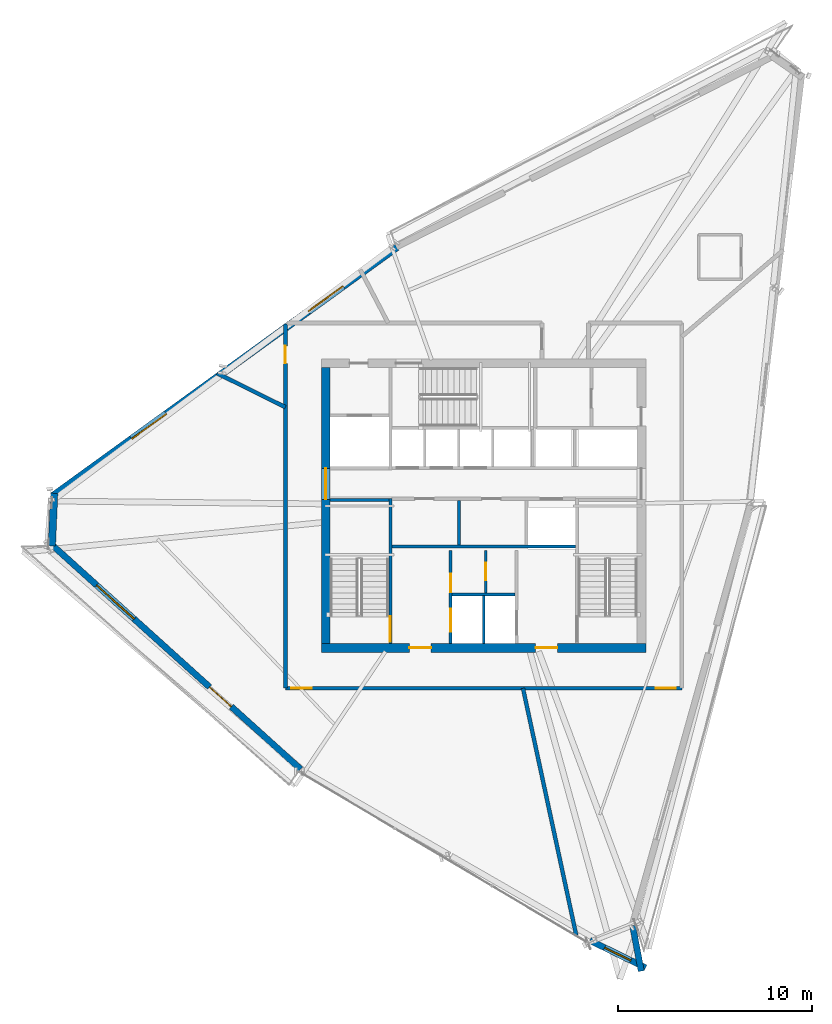
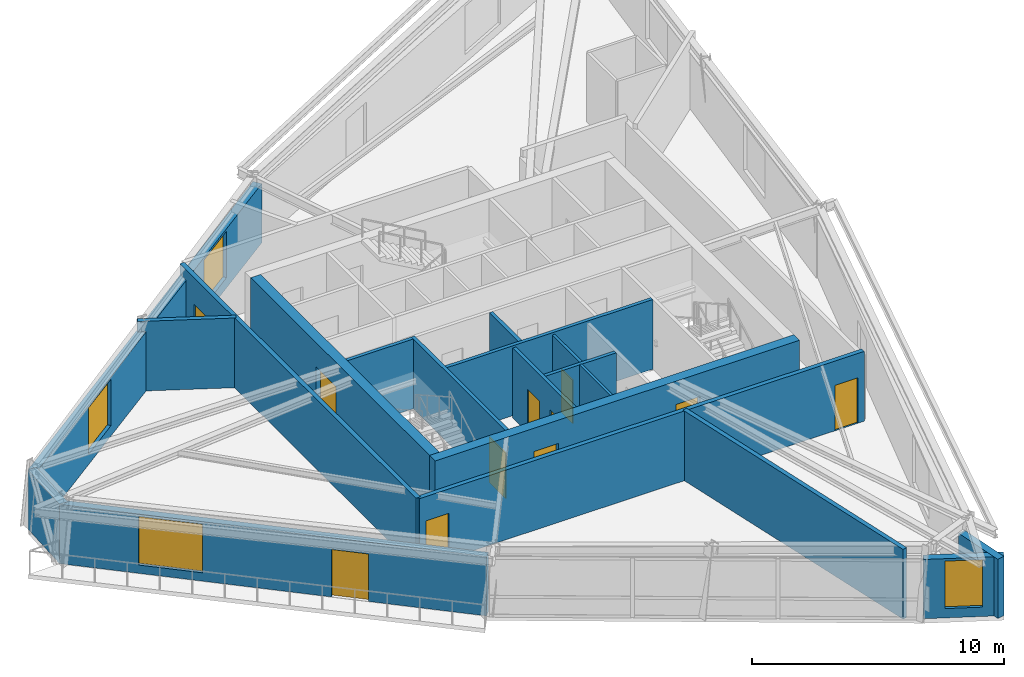
# One storey, part 9 of 14: 19 walls, 11 doors, 4 windows, 15 openings.
"""IFC4 building model written with IfcOpenShell, lengths in metres."""

from ifc_helpers import new_model, si_unit, direction, frame, frame_2d, origin, place, context, subcontext, project, spatial, rectangle, extrude, source, transform, mapped, material, layer, layer_set, type_object, type_shapes, element, fill, save


model = new_model("IFC4")

# Units and contexts
model_context = context("Model", 3, precision=1e-05, world=origin(), true_north=direction((0.0, 1.0)))
body_context = subcontext(model_context, "Body", "Model", "MODEL_VIEW")
ifc_project = project(units=[si_unit("LENGTHUNIT", "METRE"), si_unit("AREAUNIT", "SQUARE_METRE"), si_unit("VOLUMEUNIT", "CUBIC_METRE"), si_unit("PLANEANGLEUNIT", "RADIAN"), si_unit("MASSUNIT", "GRAM", prefix="KILO")], contexts=[model_context])

# Site, building, storey
site_placement = place(None, origin())
site = spatial("IfcSite", under=ifc_project, at=site_placement, CompositionType="ELEMENT")
building_placement = place(site_placement, origin())
building = spatial("IfcBuilding", under=site, at=building_placement, Name="Olszyna Solenne Hotel", CompositionType="ELEMENT")
storey_placement = place(building_placement, frame((0.0, 0.0, 259.699951171875)))
storey = spatial("IfcBuildingStorey", under=building, at=storey_placement, Name="L69", CompositionType="ELEMENT", Elevation=259.699951171875)

# Wall, openings, doors
ifc_material_1 = material(Name="Concrete C50/60", Category="concrete")
ifc_layer_1 = layer(ifc_material_1, 0.449951171875, Name="Concrete C50/60")
ifc_layer_set_1 = layer_set([ifc_layer_1], Name="Concrete C50/60")
wall_type_1 = type_object("IfcWallType", Name="WL-CR450", PredefinedType="SHEAR", material=ifc_layer_set_1)
wall_1_placement = place(storey_placement, frame((46.35009765625, 19.27490234375, 0.0), z_axis=(0.0, 0.0, 1.0), x_axis=(-1.0, 0.0, 0.0)))
wall_1 = element("IfcWall", 1, at=wall_1_placement, inside=storey, type_object=wall_type_1, Name="Core shear wall WL-CR450 CRW-L69-S", PredefinedType="SHEAR", context=body_context, shape_type="SweptSolid", body=[
    extrude(rectangle(XDim=16.7001953125, YDim=0.449951171875, at=frame_2d((8.35009765625, 0.0))), origin(), (0.0, 0.0, 1.0), 3.380126953125),
])
opening_1_placement = place(wall_1_placement, frame((4.550048828125, 0.0, 0.0)))
opening_1 = element("IfcOpeningElement", 2, at=opening_1_placement, cuts=wall_1, Name="Opening FL-L69-1", PredefinedType="OPENING", context=body_context, shape_type="SweptSolid", body=[
    extrude(rectangle(XDim=1.1201171875, YDim=2.25, at=frame_2d((0.56005859375, 1.125))), frame((0.0, 0.23486328125, 0.0), z_axis=(0.0, -1.0, 0.0), x_axis=(1.0, 0.0, 0.0)), (0.0, 0.0, 1.0), 0.469970703125),
])
opening_2_placement = place(wall_1_placement, frame((11.050048828125, 0.0, 0.0)))
opening_2 = element("IfcOpeningElement", 3, at=opening_2_placement, cuts=wall_1, Name="Opening FL-L69-2", PredefinedType="OPENING", context=body_context, shape_type="SweptSolid", body=[
    extrude(rectangle(XDim=1.1201171875, YDim=2.25, at=frame_2d((0.56005859375, 1.125))), frame((0.0, 0.23486328125, 0.0), z_axis=(0.0, -1.0, 0.0), x_axis=(1.0, 0.0, 0.0)), (0.0, 0.0, 1.0), 0.469970703125),
])
ifc_material_2 = material(Name="Steel S355J2", Category="steel")
door_type_1 = type_object("IfcDoorType", Name="DR-FL1", OperationType="NOTDEFINED", PredefinedType="DOOR", material=ifc_material_2)
shared_shape_1 = source(origin(), body_context, "Body", "SweptSolid", [
    extrude(rectangle(XDim=1.1201171875, YDim=2.25, at=frame_2d((0.56005859375, 1.125))), frame((0.0, 0.02490234375, 0.0), z_axis=(0.0, -1.0, 0.0), x_axis=(1.0, 0.0, 0.0)), (0.0, 0.0, 1.0), 0.050048828125),
])
type_shapes(door_type_1, [shared_shape_1])
door_1_placement = place(opening_1_placement, origin())
door_1 = element("IfcDoor", 4, at=door_1_placement, inside=storey, type_object=door_type_1, Name="Firefighting lift lobby smoke door FL-L69-1", OperationType="SINGLE_SWING_LEFT", OverallHeight=2.25, OverallWidth=1.1201171875, PredefinedType="DOOR", context=body_context, shape_type="MappedRepresentation", body=[
    mapped(shared_shape_1, transform((0.0, 0.0, 0.0), x_axis=(1.0, 0.0, 0.0), y_axis=(0.0, 1.0, 0.0), z_axis=(0.0, 0.0, 1.0), scale=1.0)),
])
fill(opening_1, door_1)
door_2_placement = place(opening_2_placement, origin())
door_2 = element("IfcDoor", 5, at=door_2_placement, inside=storey, type_object=door_type_1, Name="Firefighting lift lobby smoke door FL-L69-2", OperationType="SINGLE_SWING_RIGHT", OverallHeight=2.25, OverallWidth=1.1201171875, PredefinedType="DOOR", context=body_context, shape_type="MappedRepresentation", body=[
    mapped(shared_shape_1, transform((0.0, 0.0, 0.0), x_axis=(1.0, 0.0, 0.0), y_axis=(0.0, 1.0, 0.0), z_axis=(0.0, 0.0, 1.0), scale=1.0)),
])
fill(opening_2, door_2)

# Wall, opening, door
wall_2_placement = place(storey_placement, frame((29.875, 19.5, 0.0), z_axis=(0.0, 0.0, 1.0), x_axis=(0.0, 1.0, 0.0)))
wall_2 = element("IfcWall", 6, at=wall_2_placement, inside=storey, type_object=wall_type_1, Name="Core shear wall WL-CR450 CRW-L69-W", PredefinedType="SHEAR", context=body_context, shape_type="SweptSolid", body=[
    extrude(rectangle(XDim=14.199951171875, YDim=0.449951171875, at=frame_2d((7.10009765625, 0.0))), origin(), (0.0, 0.0, 1.0), 3.380126953125),
])
opening_3_placement = place(wall_2_placement, frame((7.419921875, 0.0, 0.0)))
opening_3 = element("IfcOpeningElement", 7, at=opening_3_placement, cuts=wall_2, Name="Opening LHD-L69-W", PredefinedType="OPENING", context=body_context, shape_type="SweptSolid", body=[
    extrude(rectangle(XDim=1.60009765625, YDim=2.199951171875, at=frame_2d((0.800048828125, 1.10009765625))), frame((0.0, 0.23486328125, 0.0), z_axis=(0.0, -1.0, 0.0), x_axis=(1.0, 0.0, 0.0)), (0.0, 0.0, 1.0), 0.469970703125),
])
ifc_material_3 = material(Name="Timber hardwood", Category="wood")
door_type_2 = type_object("IfcDoorType", Name="DR-CR1", OperationType="DOUBLE_DOOR_SINGLE_SWING", PredefinedType="DOOR", material=ifc_material_3)
shared_shape_2 = source(origin(), body_context, "Body", "SweptSolid", [
    extrude(rectangle(XDim=1.60009765625, YDim=2.199951171875, at=frame_2d((0.800048828125, 1.10009765625))), frame((0.0, 0.02490234375, 0.0), z_axis=(0.0, -1.0, 0.0), x_axis=(1.0, 0.0, 0.0)), (0.0, 0.0, 1.0), 0.050048828125),
])
type_shapes(door_type_2, [shared_shape_2])
door_3_placement = place(opening_3_placement, origin())
door_3 = element("IfcDoor", 8, at=door_3_placement, inside=storey, type_object=door_type_2, Name="Passenger lift lobby West fire door LHD-L69-W", OperationType="DOUBLE_DOOR_SINGLE_SWING", OverallHeight=2.199951171875, OverallWidth=1.60009765625, PredefinedType="DOOR", context=body_context, shape_type="MappedRepresentation", body=[
    mapped(shared_shape_2, transform((0.0, 0.0, 0.0), x_axis=(1.0, 0.0, 0.0), y_axis=(0.0, 1.0, 0.0), z_axis=(0.0, 0.0, 1.0), scale=1.0)),
])
fill(opening_3, door_3)

# Wall
ifc_material_4 = material(Name="Precast concrete C45/55", Category="concrete")
ifc_layer_2 = layer(ifc_material_4, 0.320068359375, Name="Precast concrete C45/55")
ifc_layer_set_2 = layer_set([ifc_layer_2], Name="Precast concrete C45/55")
wall_type_2 = type_object("IfcWallType", Name="WL-EX320", PredefinedType="SOLIDWALL", material=ifc_layer_set_2)
wall_3_placement = place(storey_placement, frame((45.670654296875, 4.987060546875, 0.0), z_axis=(0.0, 0.0, 1.0), x_axis=(0.184966822966, -0.982744765645, 0.0)))
element("IfcWall", 9, at=wall_3_placement, inside=storey, type_object=wall_type_2, Name="Exterior terracotta-precast frame wall WL-EX320 EW-L69-02", PredefinedType="SOLIDWALL", context=body_context, shape_type="SweptSolid", body=[
    extrude(rectangle(XDim=2.390380859375, YDim=0.320068359375, at=frame_2d((1.1953125, 0.0))), origin(), (0.0, 0.0, 1.0), 2.8720703125),
])

# Wall, opening, window
wall_4_placement = place(storey_placement, frame((46.340576171875, 2.811279296875, 0.0), z_axis=(0.0, 0.0, 1.0), x_axis=(-0.89810639804, 0.439778237068, 0.0)))
wall_4 = element("IfcWall", 10, at=wall_4_placement, inside=storey, type_object=wall_type_2, Name="Exterior terracotta-precast frame wall WL-EX320 EW-L69-03", PredefinedType="SOLIDWALL", context=body_context, shape_type="SweptSolid", body=[
    extrude(rectangle(XDim=3.1982421875, YDim=0.320068359375, at=frame_2d((1.59912109375, 0.0))), origin(), (0.0, 0.0, 1.0), 2.8720703125),
])
opening_4_placement = place(wall_4_placement, frame((0.84912109375, 0.0, 0.451904296875)))
opening_4 = element("IfcOpeningElement", 11, at=opening_4_placement, cuts=wall_4, Name="Opening WN-L69-457", PredefinedType="OPENING", context=body_context, shape_type="SweptSolid", body=[
    extrude(rectangle(XDim=1.5, YDim=2.300048828125, at=frame_2d((0.75, 1.14990234375))), frame((0.0, 0.169921875, 0.0), z_axis=(0.0, -1.0, 0.0), x_axis=(1.0, 0.0, 0.0)), (0.0, 0.0, 1.0), 0.340087890625),
])
ifc_material_5 = material(Name="Low-E triple glazing", Category="glass")
window_type_1 = type_object("IfcWindowType", Name="WN-CH1", PartitioningType="SINGLE_PANEL", PredefinedType="WINDOW", material=ifc_material_5)
shared_shape_3 = source(origin(), body_context, "Body", "SweptSolid", [
    extrude(rectangle(XDim=1.5, YDim=2.300048828125, at=frame_2d((0.75, 1.14990234375))), frame((0.0, 0.030029296875, 0.0), z_axis=(0.0, -1.0, 0.0), x_axis=(1.0, 0.0, 0.0)), (0.0, 0.0, 1.0), 0.06005859375),
])
type_shapes(window_type_1, [shared_shape_3])
window_1_placement = place(opening_4_placement, origin())
window_1 = element("IfcWindow", 12, at=window_1_placement, inside=storey, type_object=window_type_1, Name="Exterior facade window WN-CH1 WN-L69-457", OverallHeight=2.300048828125, OverallWidth=1.5, PartitioningType="SINGLE_PANEL", PredefinedType="WINDOW", context=body_context, shape_type="MappedRepresentation", body=[
    mapped(shared_shape_3, transform((0.0, 0.0, 0.0), x_axis=(1.0, 0.0, 0.0), y_axis=(0.0, 1.0, 0.0), z_axis=(0.0, 0.0, 1.0), scale=1.0)),
])
fill(opening_4, window_1)

# Wall, openings, door, window
wall_5_placement = place(storey_placement, frame((28.5791015625, 13.03564453125, 0.0), z_axis=(0.0, 0.0, 1.0), x_axis=(-0.742527454329, 0.669815631027, 0.0)))
wall_5 = element("IfcWall", 13, at=wall_5_placement, inside=storey, type_object=wall_type_2, Name="Exterior terracotta-precast frame wall WL-EX320 EW-L69-05", PredefinedType="SOLIDWALL", context=body_context, shape_type="SweptSolid", body=[
    extrude(rectangle(XDim=17.348876953125, YDim=0.320068359375, at=frame_2d((8.67431640625, 0.0))), origin(), (0.0, 0.0, 1.0), 2.8720703125),
])
opening_5_placement = place(wall_5_placement, frame((4.802001953125, 0.0, 0.0)))
opening_5 = element("IfcOpeningElement", 14, at=opening_5_placement, cuts=wall_5, Name="Opening LDG-L69-2", PredefinedType="OPENING", context=body_context, shape_type="SweptSolid", body=[
    extrude(rectangle(XDim=1.5, YDim=2.300048828125, at=frame_2d((0.75, 1.14990234375))), frame((0.0, 0.169921875, 0.0), z_axis=(0.0, -1.0, 0.0), x_axis=(1.0, 0.0, 0.0)), (0.0, 0.0, 1.0), 0.340087890625),
])
opening_6_placement = place(wall_5_placement, frame((11.5380859375, 0.0, 0.402099609375)))
opening_6 = element("IfcOpeningElement", 15, at=opening_6_placement, cuts=wall_5, Name="Opening WN-L69-458", PredefinedType="OPENING", context=body_context, shape_type="SweptSolid", body=[
    extrude(rectangle(XDim=2.60009765625, YDim=2.35009765625, at=frame_2d((1.300048828125, 1.175048828125))), frame((0.0, 0.169921875, 0.0), z_axis=(0.0, -1.0, 0.0), x_axis=(1.0, 0.0, 0.0)), (0.0, 0.0, 1.0), 0.340087890625),
])
ifc_material_6 = material(Name="Anodised bronze aluminium", Category="aluminium")
door_type_3 = type_object("IfcDoorType", Name="DR-LG2", OperationType="DOUBLE_DOOR_SINGLE_SWING", PredefinedType="DOOR", material=ifc_material_6)
shared_shape_4 = source(origin(), body_context, "Body", "SweptSolid", [
    extrude(rectangle(XDim=1.5, YDim=2.300048828125, at=frame_2d((0.75, 1.14990234375))), frame((0.0, 0.02490234375, 0.0), z_axis=(0.0, -1.0, 0.0), x_axis=(1.0, 0.0, 0.0)), (0.0, 0.0, 1.0), 0.050048828125),
])
type_shapes(door_type_3, [shared_shape_4])
door_4_placement = place(opening_5_placement, origin())
door_4 = element("IfcDoor", 16, at=door_4_placement, inside=storey, type_object=door_type_3, Name="Exterior loggia balcony door DR-LG2 LDG-L69-2", OperationType="DOUBLE_DOOR_SINGLE_SWING", OverallHeight=2.300048828125, OverallWidth=1.5, PredefinedType="DOOR", context=body_context, shape_type="MappedRepresentation", body=[
    mapped(shared_shape_4, transform((0.0, 0.0, 0.0), x_axis=(1.0, 0.0, 0.0), y_axis=(0.0, 1.0, 0.0), z_axis=(0.0, 0.0, 1.0), scale=1.0)),
])
fill(opening_5, door_4)
window_type_2 = type_object("IfcWindowType", Name="WN-ST1", PartitioningType="SINGLE_PANEL", PredefinedType="WINDOW", material=ifc_material_5)
shared_shape_5 = source(origin(), body_context, "Body", "SweptSolid", [
    extrude(rectangle(XDim=2.60009765625, YDim=2.35009765625, at=frame_2d((1.300048828125, 1.175048828125))), frame((0.0, 0.030029296875, 0.0), z_axis=(0.0, -1.0, 0.0), x_axis=(1.0, 0.0, 0.0)), (0.0, 0.0, 1.0), 0.06005859375),
])
type_shapes(window_type_2, [shared_shape_5])
window_2_placement = place(opening_6_placement, origin())
window_2 = element("IfcWindow", 17, at=window_2_placement, inside=storey, type_object=window_type_2, Name="Loggia room window WN-ST1 WN-L69-458", OverallHeight=2.35009765625, OverallWidth=2.60009765625, PartitioningType="SINGLE_PANEL", PredefinedType="WINDOW", context=body_context, shape_type="MappedRepresentation", body=[
    mapped(shared_shape_5, transform((0.0, 0.0, 0.0), x_axis=(1.0, 0.0, 0.0), y_axis=(0.0, 1.0, 0.0), z_axis=(0.0, 0.0, 1.0), scale=1.0)),
])
fill(opening_6, window_2)

# Wall
ifc_material_7 = material(Name="Terracotta cladding on precast concrete C45/55", Category="masonry")
ifc_layer_3 = layer(ifc_material_7, 0.3798828125, Name="Terracotta cladding on precast concrete C45/55")
ifc_layer_set_3 = layer_set([ifc_layer_3], Name="Terracotta cladding on precast concrete C45/55")
wall_type_3 = type_object("IfcWallType", Name="WL-EX380", PredefinedType="SOLIDWALL", material=ifc_layer_set_3)
wall_6_placement = place(storey_placement, frame((15.779541015625, 24.529052734375, 0.0), z_axis=(0.0, 0.0, 1.0), x_axis=(0.043578177518, 0.999050019991, 0.0)))
element("IfcWall", 18, at=wall_6_placement, inside=storey, type_object=wall_type_3, Name="Exterior terracotta-precast frame wall WL-EX380 EW-L69-06", PredefinedType="SOLIDWALL", context=body_context, shape_type="SweptSolid", body=[
    extrude(rectangle(XDim=2.7060546875, YDim=0.3798828125, at=frame_2d((1.35302734375, 0.0))), origin(), (0.0, 0.0, 1.0), 2.8720703125),
])

# Wall, openings, windows
wall_7_placement = place(storey_placement, frame((15.819091796875, 27.086669921875, 0.0), z_axis=(0.0, 0.0, 1.0), x_axis=(0.810286001924, 0.586034636421, 0.0)))
wall_7 = element("IfcWall", 19, at=wall_7_placement, inside=storey, type_object=wall_type_3, Name="Exterior terracotta-precast frame wall WL-EX380 EW-L69-07", PredefinedType="SOLIDWALL", context=body_context, shape_type="SweptSolid", body=[
    extrude(rectangle(XDim=21.866455078125, YDim=0.3798828125, at=frame_2d((10.93310546875, 0.0))), origin(), (0.0, 0.0, 1.0), 2.8720703125),
])
opening_7_placement = place(wall_7_placement, frame((5.02294921875, 0.0, 0.501953125)))
opening_7 = element("IfcOpeningElement", 20, at=opening_7_placement, cuts=wall_7, Name="Opening WN-L69-459", PredefinedType="OPENING", context=body_context, shape_type="SweptSolid", body=[
    extrude(rectangle(XDim=2.199951171875, YDim=2.25, at=frame_2d((1.10009765625, 1.125))), frame((0.0, 0.199951171875, 0.0), z_axis=(0.0, -1.0, 0.0), x_axis=(1.0, 0.0, 0.0)), (0.0, 0.0, 1.0), 0.39990234375),
])
opening_8_placement = place(wall_7_placement, frame((16.243896484375, 0.0, 0.501953125)))
opening_8 = element("IfcOpeningElement", 21, at=opening_8_placement, cuts=wall_7, Name="Opening WN-L69-460", PredefinedType="OPENING", context=body_context, shape_type="SweptSolid", body=[
    extrude(rectangle(XDim=2.199951171875, YDim=2.25, at=frame_2d((1.10009765625, 1.125))), frame((0.0, 0.199951171875, 0.0), z_axis=(0.0, -1.0, 0.0), x_axis=(1.0, 0.0, 0.0)), (0.0, 0.0, 1.0), 0.39990234375),
])
window_type_3 = type_object("IfcWindowType", Name="WN-HT2", PartitioningType="SINGLE_PANEL", PredefinedType="WINDOW", material=ifc_material_5)
shared_shape_6 = source(origin(), body_context, "Body", "SweptSolid", [
    extrude(rectangle(XDim=2.199951171875, YDim=2.25, at=frame_2d((1.10009765625, 1.125))), frame((0.0, 0.030029296875, 0.0), z_axis=(0.0, -1.0, 0.0), x_axis=(1.0, 0.0, 0.0)), (0.0, 0.0, 1.0), 0.06005859375),
])
type_shapes(window_type_3, [shared_shape_6])
window_3_placement = place(opening_7_placement, origin())
window_3 = element("IfcWindow", 22, at=window_3_placement, inside=storey, type_object=window_type_3, Name="Exterior facade window WN-HT2 WN-L69-459", OverallHeight=2.25, OverallWidth=2.199951171875, PartitioningType="SINGLE_PANEL", PredefinedType="WINDOW", context=body_context, shape_type="MappedRepresentation", body=[
    mapped(shared_shape_6, transform((0.0, 0.0, 0.0), x_axis=(1.0, 0.0, 0.0), y_axis=(0.0, 1.0, 0.0), z_axis=(0.0, 0.0, 1.0), scale=1.0)),
])
fill(opening_7, window_3)
window_4_placement = place(opening_8_placement, origin())
window_4 = element("IfcWindow", 23, at=window_4_placement, inside=storey, type_object=window_type_3, Name="Exterior facade window WN-HT2 WN-L69-460", OverallHeight=2.25, OverallWidth=2.199951171875, PartitioningType="SINGLE_PANEL", PredefinedType="WINDOW", context=body_context, shape_type="MappedRepresentation", body=[
    mapped(shared_shape_6, transform((0.0, 0.0, 0.0), x_axis=(1.0, 0.0, 0.0), y_axis=(0.0, 1.0, 0.0), z_axis=(0.0, 0.0, 1.0), scale=1.0)),
])
fill(opening_8, window_4)

# Wall
ifc_material_8 = material(Name="Acoustic gypsum partition", Category="gypsum")
ifc_layer_4 = layer(ifc_material_8, 0.125, Name="Acoustic gypsum partition")
ifc_layer_set_4 = layer_set([ifc_layer_4], Name="Acoustic gypsum partition")
wall_type_4 = type_object("IfcWallType", Name="WL-PT125", PredefinedType="PARTITIONING", material=ifc_layer_set_4)
wall_8_placement = place(storey_placement, frame((38.0, 19.5, 0.0), z_axis=(0.0, 0.0, 1.0), x_axis=(0.0, 1.0, 0.0)))
element("IfcWall", 24, at=wall_8_placement, inside=storey, type_object=wall_type_4, Name="Core shaft compartment wall CW-L69-FFM", PredefinedType="PARTITIONING", context=body_context, shape_type="SweptSolid", body=[
    extrude(rectangle(XDim=2.4599609375, YDim=0.125, at=frame_2d((1.22998046875, 0.0))), origin(), (0.0, 0.0, 1.0), 3.380126953125),
])

# Wall, opening, door
wall_9_placement = place(storey_placement, frame((38.10009765625, 22.10009765625, 0.0), z_axis=(0.0, 0.0, 1.0), x_axis=(0.0, 1.0, 0.0)))
wall_9 = element("IfcWall", 25, at=wall_9_placement, inside=storey, type_object=wall_type_4, Name="Core shaft compartment wall CW-L69-SC1", PredefinedType="PARTITIONING", context=body_context, shape_type="SweptSolid", body=[
    extrude(rectangle(XDim=2.179931640625, YDim=0.125, at=frame_2d((1.08984375, 0.0))), origin(), (0.0, 0.0, 1.0), 3.380126953125),
])
opening_9_placement = place(wall_9_placement, frame((0.64990234375, 0.0, 0.0)))
opening_9 = element("IfcOpeningElement", 26, at=opening_9_placement, cuts=wall_9, Name="Opening SVD-L69-SC1", PredefinedType="OPENING", context=body_context, shape_type="SweptSolid", body=[
    extrude(rectangle(XDim=0.89990234375, YDim=2.10009765625, at=frame_2d((0.449951171875, 1.050048828125))), frame((0.0, 0.072509765625, 0.0), z_axis=(0.0, -1.0, 0.0), x_axis=(1.0, 0.0, 0.0)), (0.0, 0.0, 1.0), 0.14501953125),
])
door_type_4 = type_object("IfcDoorType", Name="DR-WC1", OperationType="NOTDEFINED", PredefinedType="DOOR", material=ifc_material_3)
shared_shape_7 = source(origin(), body_context, "Body", "SweptSolid", [
    extrude(rectangle(XDim=0.89990234375, YDim=2.10009765625, at=frame_2d((0.449951171875, 1.050048828125))), frame((0.0, 0.02490234375, 0.0), z_axis=(0.0, -1.0, 0.0), x_axis=(1.0, 0.0, 0.0)), (0.0, 0.0, 1.0), 0.050048828125),
])
type_shapes(door_type_4, [shared_shape_7])
door_5_placement = place(opening_9_placement, origin())
door_5 = element("IfcDoor", 27, at=door_5_placement, inside=storey, type_object=door_type_4, Name="Pantry locker door SVD-L69-SC1", OperationType="SINGLE_SWING_LEFT", OverallHeight=2.10009765625, OverallWidth=0.89990234375, PredefinedType="DOOR", context=body_context, shape_type="MappedRepresentation", body=[
    mapped(shared_shape_7, transform((0.0, 0.0, 0.0), x_axis=(1.0, 0.0, 0.0), y_axis=(0.0, 1.0, 0.0), z_axis=(0.0, 0.0, 1.0), scale=1.0)),
])
fill(opening_9, door_5)

ifc_layer_5 = layer(ifc_material_8, 0.159912109375, Name="Acoustic gypsum partition")
ifc_layer_set_5 = layer_set([ifc_layer_5], Name="Acoustic gypsum partition")
wall_type_5 = type_object("IfcWallType", Name="WL-PT160", PredefinedType="PARTITIONING", material=ifc_layer_set_5)
wall_10_placement = place(storey_placement, frame((33.199951171875, 19.5, 0.0), z_axis=(0.0, 0.0, 1.0), x_axis=(0.0, 1.0, 0.0)))
wall_10 = element("IfcWall", 28, at=wall_10_placement, inside=storey, type_object=wall_type_5, Name="Core shaft compartment wall CW-L69-ST1E", PredefinedType="PARTITIONING", context=body_context, shape_type="SweptSolid", body=[
    extrude(rectangle(XDim=7.4599609375, YDim=0.159912109375, at=frame_2d((3.72998046875, 0.0))), origin(), (0.0, 0.0, 1.0), 3.380126953125),
])
opening_10_placement = place(wall_10_placement, frame((0.080078125, 0.0, 0.0)))
opening_10 = element("IfcOpeningElement", 29, at=opening_10_placement, cuts=wall_10, Name="Opening STD-L69-01", PredefinedType="OPENING", context=body_context, shape_type="SweptSolid", body=[
    extrude(rectangle(XDim=1.320068359375, YDim=2.199951171875, at=frame_2d((0.66015625, 1.10009765625))), frame((0.0, 0.08984375, 0.0), z_axis=(0.0, -1.0, 0.0), x_axis=(1.0, 0.0, 0.0)), (0.0, 0.0, 1.0), 0.179931640625),
])
door_type_5 = type_object("IfcDoorType", Name="DR-ST1", OperationType="NOTDEFINED", PredefinedType="DOOR", material=ifc_material_2)
shared_shape_8 = source(origin(), body_context, "Body", "SweptSolid", [
    extrude(rectangle(XDim=1.320068359375, YDim=2.199951171875, at=frame_2d((0.66015625, 1.10009765625))), frame((0.0, 0.02490234375, 0.0), z_axis=(0.0, -1.0, 0.0), x_axis=(1.0, 0.0, 0.0)), (0.0, 0.0, 1.0), 0.050048828125),
])
type_shapes(door_type_5, [shared_shape_8])
door_6_placement = place(opening_10_placement, origin())
door_6 = element("IfcDoor", 30, at=door_6_placement, inside=storey, type_object=door_type_5, Name="Pressurised exit stair ST1 fire door STD-L69-01", OperationType="SINGLE_SWING_LEFT", OverallHeight=2.199951171875, OverallWidth=1.320068359375, PredefinedType="DOOR", context=body_context, shape_type="MappedRepresentation", body=[
    mapped(shared_shape_8, transform((0.0, 0.0, 0.0), x_axis=(1.0, 0.0, 0.0), y_axis=(0.0, 1.0, 0.0), z_axis=(0.0, 0.0, 1.0), scale=1.0)),
])
fill(opening_10, door_6)

# Wall
wall_11_placement = place(storey_placement, frame((30.10009765625, 26.8798828125, 0.0), z_axis=(0.0, 0.0, 1.0), x_axis=(1.0, 0.0, 0.0)))
element("IfcWall", 31, at=wall_11_placement, inside=storey, type_object=wall_type_5, Name="Core shaft compartment wall CW-L69-ST1N", PredefinedType="PARTITIONING", context=body_context, shape_type="SweptSolid", body=[
    extrude(rectangle(XDim=3.02001953125, YDim=0.159912109375, at=frame_2d((1.510009765625, 0.0))), origin(), (0.0, 0.0, 1.0), 3.380126953125),
])

# Wall, openings, doors
wall_12_placement = place(storey_placement, frame((36.300048828125, 19.5, 0.0), z_axis=(0.0, 0.0, 1.0), x_axis=(0.0, 1.0, 0.0)))
wall_12 = element("IfcWall", 32, at=wall_12_placement, inside=storey, type_object=wall_type_5, Name="Core shaft compartment wall CW-L69-FF1W", PredefinedType="PARTITIONING", context=body_context, shape_type="SweptSolid", body=[
    extrude(rectangle(XDim=4.780029296875, YDim=0.159912109375, at=frame_2d((2.39013671875, 0.0))), origin(), (0.0, 0.0, 1.0), 3.380126953125),
])
opening_11_placement = place(wall_12_placement, frame((0.60009765625, 0.0, 0.0)))
opening_11 = element("IfcOpeningElement", 33, at=opening_11_placement, cuts=wall_12, Name="Opening LD-L69-FF1", PredefinedType="OPENING", context=body_context, shape_type="SweptSolid", body=[
    extrude(rectangle(XDim=1.199951171875, YDim=2.199951171875, at=frame_2d((0.60009765625, 1.10009765625))), frame((0.0, 0.08984375, 0.0), z_axis=(0.0, -1.0, 0.0), x_axis=(1.0, 0.0, 0.0)), (0.0, 0.0, 1.0), 0.179931640625),
])
opening_12_placement = place(wall_12_placement, frame((2.64990234375, 0.0, 0.0)))
opening_12 = element("IfcOpeningElement", 34, at=opening_12_placement, cuts=wall_12, Name="Opening SVD-L69-SMK", PredefinedType="OPENING", context=body_context, shape_type="SweptSolid", body=[
    extrude(rectangle(XDim=0.949951171875, YDim=2.10009765625, at=frame_2d((0.47509765625, 1.050048828125))), frame((0.0, 0.08984375, 0.0), z_axis=(0.0, -1.0, 0.0), x_axis=(1.0, 0.0, 0.0)), (0.0, 0.0, 1.0), 0.179931640625),
])
door_type_6 = type_object("IfcDoorType", Name="DR-SV1", OperationType="NOTDEFINED", PredefinedType="DOOR", material=ifc_material_2)
shared_shape_9 = source(origin(), body_context, "Body", "SweptSolid", [
    extrude(rectangle(XDim=0.949951171875, YDim=2.10009765625, at=frame_2d((0.47509765625, 1.050048828125))), frame((0.0, 0.02490234375, 0.0), z_axis=(0.0, -1.0, 0.0), x_axis=(1.0, 0.0, 0.0)), (0.0, 0.0, 1.0), 0.050048828125),
])
type_shapes(door_type_6, [shared_shape_9])
door_7_placement = place(opening_12_placement, origin())
door_7 = element("IfcDoor", 35, at=door_7_placement, inside=storey, type_object=door_type_6, Name="Valet and core service room door SVD-L69-SMK", OperationType="SINGLE_SWING_LEFT", OverallHeight=2.10009765625, OverallWidth=0.949951171875, PredefinedType="DOOR", context=body_context, shape_type="MappedRepresentation", body=[
    mapped(shared_shape_9, transform((0.0, 0.0, 0.0), x_axis=(1.0, 0.0, 0.0), y_axis=(0.0, 1.0, 0.0), z_axis=(0.0, 0.0, 1.0), scale=1.0)),
])
fill(opening_12, door_7)
door_type_7 = type_object("IfcDoorType", Name="LD-FF1", OperationType="DOUBLE_DOOR_SLIDING", PredefinedType="DOOR", material=ifc_material_2)
shared_shape_10 = source(origin(), body_context, "Body", "SweptSolid", [
    extrude(rectangle(XDim=1.199951171875, YDim=2.199951171875, at=frame_2d((0.60009765625, 1.10009765625))), frame((0.0, 0.02490234375, 0.0), z_axis=(0.0, -1.0, 0.0), x_axis=(1.0, 0.0, 0.0)), (0.0, 0.0, 1.0), 0.050048828125),
])
type_shapes(door_type_7, [shared_shape_10])
door_8_placement = place(opening_11_placement, origin())
door_8 = element("IfcDoor", 36, at=door_8_placement, inside=storey, type_object=door_type_7, Name="Firefighters lift FF1 sliding landing door LD-L69-FF1", OperationType="DOUBLE_DOOR_SLIDING", OverallHeight=2.199951171875, OverallWidth=1.199951171875, PredefinedType="DOOR", context=body_context, shape_type="MappedRepresentation", body=[
    mapped(shared_shape_10, transform((0.0, 0.0, 0.0), x_axis=(1.0, 0.0, 0.0), y_axis=(0.0, 1.0, 0.0), z_axis=(0.0, 0.0, 1.0), scale=1.0)),
])
fill(opening_11, door_8)

# Walls
wall_13_placement = place(storey_placement, frame((36.3798828125, 22.02001953125, 0.0), z_axis=(0.0, 0.0, 1.0), x_axis=(1.0, 0.0, 0.0)))
element("IfcWall", 37, at=wall_13_placement, inside=storey, type_object=wall_type_5, Name="Core shaft compartment wall CW-L69-FFN", PredefinedType="PARTITIONING", context=body_context, shape_type="SweptSolid", body=[
    extrude(rectangle(XDim=3.240234375, YDim=0.159912109375, at=frame_2d((1.6201171875, 0.0))), origin(), (0.0, 0.0, 1.0), 3.380126953125),
])
wall_14_placement = place(storey_placement, frame((33.280029296875, 24.489990234375, 0.0), z_axis=(0.0, 0.0, 1.0), x_axis=(1.0, 0.0, 0.0)))
element("IfcWall", 38, at=wall_14_placement, inside=storey, type_object=wall_type_5, Name="Core shaft compartment wall CW-L69-FFBN", PredefinedType="PARTITIONING", context=body_context, shape_type="SweptSolid", body=[
    extrude(rectangle(XDim=9.43994140625, YDim=0.159912109375, at=frame_2d((4.719970703125, 0.0))), origin(), (0.0, 0.0, 1.0), 3.380126953125),
])
wall_15_placement = place(storey_placement, frame((36.72998046875, 24.56005859375, 0.0), z_axis=(0.0, 0.0, 1.0), x_axis=(0.0, 1.0, 0.0)))
element("IfcWall", 39, at=wall_15_placement, inside=storey, type_object=wall_type_5, Name="Core shaft compartment wall CW-L69-LV7DIV1", PredefinedType="PARTITIONING", context=body_context, shape_type="SweptSolid", body=[
    extrude(rectangle(XDim=2.31005859375, YDim=0.159912109375, at=frame_2d((1.155029296875, 0.0))), origin(), (0.0, 0.0, 1.0), 3.380126953125),
])
ifc_layer_6 = layer(ifc_material_8, 0.199951171875, Name="Acoustic gypsum partition")
ifc_layer_set_6 = layer_set([ifc_layer_6], Name="Acoustic gypsum partition")
wall_type_6 = type_object("IfcWallType", Name="WL-PT200", PredefinedType="PARTITIONING", material=ifc_layer_set_6)
wall_16_placement = place(storey_placement, frame((27.800048828125, 31.663330078125, 0.0), z_axis=(0.0, 0.0, 1.0), x_axis=(-0.895717798703, 0.444623014571, 0.0)))
element("IfcWall", 40, at=wall_16_placement, inside=storey, type_object=wall_type_6, Name="Interior acoustic partition WL-PT200 PW-L69-3830", PredefinedType="PARTITIONING", context=body_context, shape_type="SweptSolid", body=[
    extrude(rectangle(XDim=3.92333984375, YDim=0.199951171875, at=frame_2d((1.961669921875, 0.0))), origin(), (0.0, 0.0, 1.0), 3.380126953125),
])
wall_17_placement = place(storey_placement, frame((40.02734375, 17.199951171875, 0.0), z_axis=(0.0, 0.0, 1.0), x_axis=(0.210851230582, -0.977518162779, 0.0)))
element("IfcWall", 41, at=wall_17_placement, inside=storey, type_object=wall_type_6, Name="Interior acoustic partition WL-PT200 PW-L69-3831", PredefinedType="PARTITIONING", context=body_context, shape_type="SweptSolid", body=[
    extrude(rectangle(XDim=13.01220703125, YDim=0.199951171875, at=frame_2d((6.506103515625, 0.0))), origin(), (0.0, 0.0, 1.0), 3.380126953125),
])

# Wall, openings, doors
wall_18_placement = place(storey_placement, frame((27.800048828125, 17.199951171875, 0.0), z_axis=(0.0, 0.0, 1.0), x_axis=(1.0, 0.0, 0.0)))
wall_18 = element("IfcWall", 42, at=wall_18_placement, inside=storey, type_object=wall_type_6, Name="Interior acoustic partition WL-PT200 PW-L69-3838", PredefinedType="PARTITIONING", context=body_context, shape_type="SweptSolid", body=[
    extrude(rectangle(XDim=20.39990234375, YDim=0.199951171875, at=frame_2d((10.199951171875, 0.0))), origin(), (0.0, 0.0, 1.0), 3.380126953125),
])
opening_13_placement = place(wall_18_placement, frame((0.300048828125, 0.0, 0.0)))
opening_13 = element("IfcOpeningElement", 43, at=opening_13_placement, cuts=wall_18, Name="Opening DR-L69-0934", PredefinedType="OPENING", context=body_context, shape_type="SweptSolid", body=[
    extrude(rectangle(XDim=1.050048828125, YDim=2.199951171875, at=frame_2d((0.52490234375, 1.10009765625))), frame((0.0, 0.10986328125, 0.0), z_axis=(0.0, -1.0, 0.0), x_axis=(1.0, 0.0, 0.0)), (0.0, 0.0, 1.0), 0.219970703125),
])
opening_14_placement = place(wall_18_placement, frame((19.050048828125, 0.0, 0.0)))
opening_14 = element("IfcOpeningElement", 44, at=opening_14_placement, cuts=wall_18, Name="Opening DR-L69-0935", PredefinedType="OPENING", context=body_context, shape_type="SweptSolid", body=[
    extrude(rectangle(XDim=1.050048828125, YDim=2.199951171875, at=frame_2d((0.52490234375, 1.10009765625))), frame((0.0, 0.10986328125, 0.0), z_axis=(0.0, -1.0, 0.0), x_axis=(1.0, 0.0, 0.0)), (0.0, 0.0, 1.0), 0.219970703125),
])
door_type_8 = type_object("IfcDoorType", Name="DR-RM2", OperationType="NOTDEFINED", PredefinedType="DOOR", material=ifc_material_3)
shared_shape_11 = source(origin(), body_context, "Body", "SweptSolid", [
    extrude(rectangle(XDim=1.050048828125, YDim=2.199951171875, at=frame_2d((0.52490234375, 1.10009765625))), frame((0.0, 0.02490234375, 0.0), z_axis=(0.0, -1.0, 0.0), x_axis=(1.0, 0.0, 0.0)), (0.0, 0.0, 1.0), 0.050048828125),
])
type_shapes(door_type_8, [shared_shape_11])
door_9_placement = place(opening_13_placement, origin())
door_9 = element("IfcDoor", 45, at=door_9_placement, inside=storey, type_object=door_type_8, Name="Conference Boardroom Entrance Door DR-L69-0934", OperationType="SINGLE_SWING_RIGHT", OverallHeight=2.199951171875, OverallWidth=1.050048828125, PredefinedType="DOOR", context=body_context, shape_type="MappedRepresentation", body=[
    mapped(shared_shape_11, transform((0.0, 0.0, 0.0), x_axis=(1.0, 0.0, 0.0), y_axis=(0.0, 1.0, 0.0), z_axis=(0.0, 0.0, 1.0), scale=1.0)),
])
fill(opening_13, door_9)
door_10_placement = place(opening_14_placement, origin())
door_10 = element("IfcDoor", 46, at=door_10_placement, inside=storey, type_object=door_type_8, Name="Conference Boardroom Entrance Door DR-L69-0935", OperationType="SINGLE_SWING_LEFT", OverallHeight=2.199951171875, OverallWidth=1.050048828125, PredefinedType="DOOR", context=body_context, shape_type="MappedRepresentation", body=[
    mapped(shared_shape_11, transform((0.0, 0.0, 0.0), x_axis=(1.0, 0.0, 0.0), y_axis=(0.0, 1.0, 0.0), z_axis=(0.0, 0.0, 1.0), scale=1.0)),
])
fill(opening_14, door_10)

# Wall, opening, door
wall_19_placement = place(storey_placement, frame((27.800048828125, 17.199951171875, 0.0), z_axis=(0.0, 0.0, 1.0), x_axis=(0.0, 1.0, 0.0)))
wall_19 = element("IfcWall", 47, at=wall_19_placement, inside=storey, type_object=wall_type_6, Name="Interior acoustic partition WL-PT200 PW-L69-3839", PredefinedType="PARTITIONING", context=body_context, shape_type="SweptSolid", body=[
    extrude(rectangle(XDim=18.749267578125, YDim=0.199951171875, at=frame_2d((9.37451171875, 0.0))), origin(), (0.0, 0.0, 1.0), 3.380126953125),
])
opening_15_placement = place(wall_19_placement, frame((16.722900390625, 0.0, 0.0)))
opening_15 = element("IfcOpeningElement", 48, at=opening_15_placement, cuts=wall_19, Name="Opening DR-L69-0936", PredefinedType="OPENING", context=body_context, shape_type="SweptSolid", body=[
    extrude(rectangle(XDim=0.89990234375, YDim=2.10009765625, at=frame_2d((0.449951171875, 1.050048828125))), frame((0.0, 0.10986328125, 0.0), z_axis=(0.0, -1.0, 0.0), x_axis=(1.0, 0.0, 0.0)), (0.0, 0.0, 1.0), 0.219970703125),
])
door_11_placement = place(opening_15_placement, origin())
door_11 = element("IfcDoor", 49, at=door_11_placement, inside=storey, type_object=door_type_4, Name="Accessible Public WC Entrance Door DR-L69-0936", OperationType="SINGLE_SWING_LEFT", OverallHeight=2.10009765625, OverallWidth=0.89990234375, PredefinedType="DOOR", context=body_context, shape_type="MappedRepresentation", body=[
    mapped(shared_shape_7, transform((0.0, 0.0, 0.0), x_axis=(1.0, 0.0, 0.0), y_axis=(0.0, 1.0, 0.0), z_axis=(0.0, 0.0, 1.0), scale=1.0)),
])
fill(opening_15, door_11)

save(model, "model.ifc")
